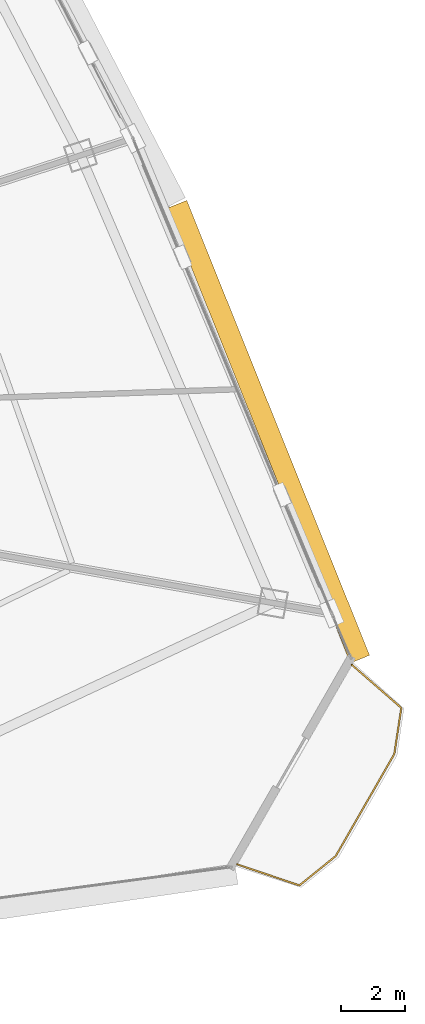
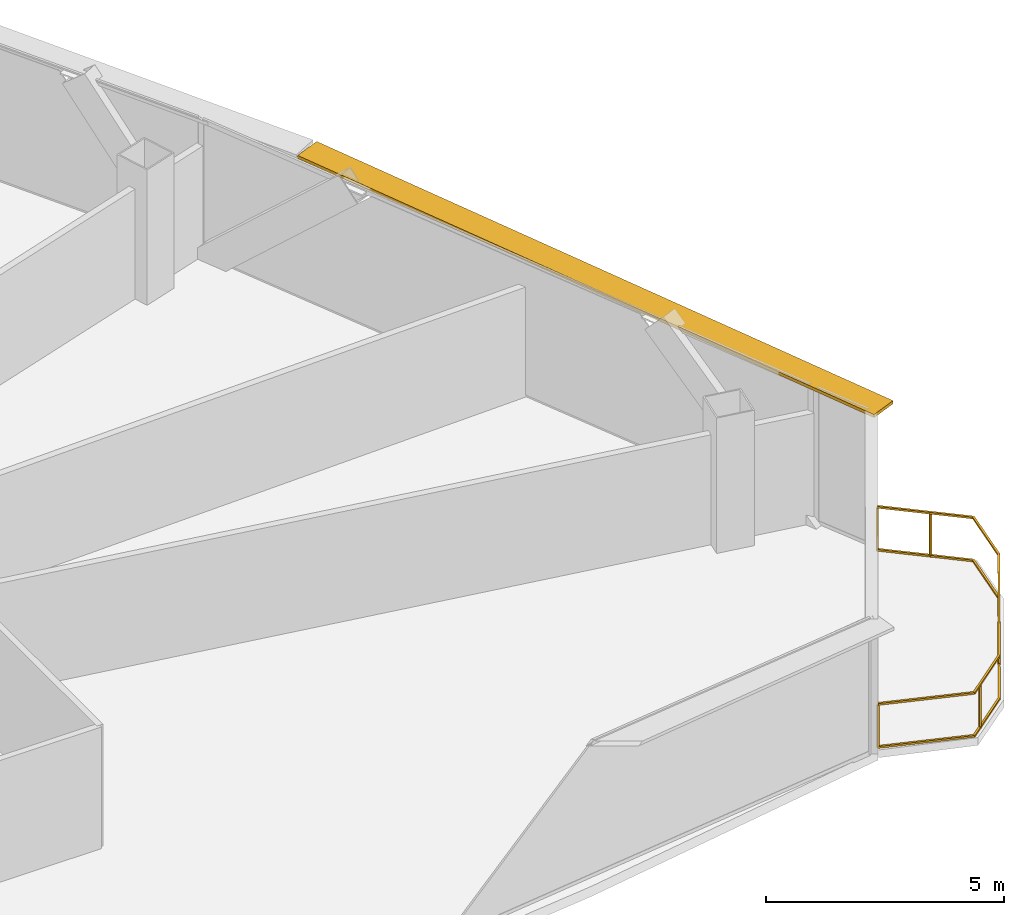
# One storey, part 37 of 37: 1 railing, 1 shading device.
"""IFC4 building model written with IfcOpenShell, lengths in metres."""

from ifc_helpers import new_model, si_unit, direction, frame, origin, origin_2d, place, context, subcontext, project, spatial, rectangle, extrude, source, transform, mapped, material, layer, layer_set, type_object, element, save


model = new_model("IFC4")

# Units and contexts
model_context = context("Model", 3, precision=1e-05, world=origin(), true_north=direction((0.0, 1.0)))
body_context = subcontext(model_context, "Body", "Model", "MODEL_VIEW")
ifc_project = project(units=[si_unit("LENGTHUNIT", "METRE"), si_unit("AREAUNIT", "SQUARE_METRE"), si_unit("VOLUMEUNIT", "CUBIC_METRE"), si_unit("PLANEANGLEUNIT", "RADIAN"), si_unit("MASSUNIT", "GRAM", prefix="KILO"), si_unit("THERMODYNAMICTEMPERATUREUNIT", "KELVIN"), si_unit("POWERUNIT", "WATT")], contexts=[model_context])

# Site, building, storey
site_placement = place(None, origin())
site = spatial("IfcSite", under=ifc_project, at=site_placement, CompositionType="ELEMENT")
building_placement = place(site_placement, origin())
building = spatial("IfcBuilding", under=site, at=building_placement, Name="Yunzhuo Pagoda Commons", CompositionType="ELEMENT")
storey_placement = place(building_placement, frame((0.0, 0.0, 255.719970703125)))
storey = spatial("IfcBuildingStorey", under=building, at=storey_placement, Name="L64", CompositionType="ELEMENT", Elevation=255.719970703125)

# Railing
ifc_material = material(Name="Anodized aluminium 6063-T6", Category="aluminium")
railing_type = type_object("IfcRailingType", Name="RL-BAL1 Exterior Terrace & Balcony Balustrade 1150", PredefinedType="BALUSTRADE", material=ifc_material)
railing_placement = place(storey_placement, frame((78.8203125, 19.86328125, 0.0)))
element("IfcRailing", 1, at=railing_placement, inside=storey, type_object=railing_type, Name="L64 corner balcony balustrade V2", PredefinedType="BALUSTRADE", context=body_context, shape_type="SweptSolid", body=[
    extrude(rectangle(XDim=0.048095703125, YDim=0.048095703125, at=origin_2d()), frame((0.0, 0.0, 1.1259765625), z_axis=(0.947419062147, -0.319995501031, 0.0), x_axis=(0.319995501031, 0.947419062147, 0.0)), (0.0, 0.0, 1.0), 2.05908203125),
    extrude(rectangle(XDim=0.048095703125, YDim=0.048095703125, at=origin_2d()), frame((0.0, 0.0, 0.02392578125), z_axis=(0.947419062147, -0.319995501031, 0.0), x_axis=(0.319995501031, 0.947419062147, 0.0)), (0.0, 0.0, 1.0), 2.05908203125),
    extrude(rectangle(XDim=0.048095703125, YDim=0.048095703125, at=origin_2d()), frame((1.950927734375, -0.658935546875, 1.1259765625), z_axis=(0.777884784349, 0.628406924117, 0.0), x_axis=(-0.628406924117, 0.777884784349, 0.0)), (0.0, 0.0, 1.0), 1.465087890625),
    extrude(rectangle(XDim=0.048095703125, YDim=0.048095703125, at=origin_2d()), frame((1.950927734375, -0.658935546875, 0.02392578125), z_axis=(0.777884784349, 0.628406924117, 0.0), x_axis=(-0.628406924117, 0.777884784349, 0.0)), (0.0, 0.0, 1.0), 1.465087890625),
    extrude(rectangle(XDim=0.048095703125, YDim=0.048095703125, at=origin_2d()), frame((3.090576171875, 0.26171875, 1.1259765625), z_axis=(0.497975284399, 0.867191222354, 0.0), x_axis=(-0.867191222354, 0.497975284399, 0.0)), (0.0, 0.0, 1.0), 3.691650390625),
    extrude(rectangle(XDim=0.048095703125, YDim=0.048095703125, at=origin_2d()), frame((3.090576171875, 0.26171875, 0.02392578125), z_axis=(0.497975284399, 0.867191222354, 0.0), x_axis=(-0.867191222354, 0.497975284399, 0.0)), (0.0, 0.0, 1.0), 3.691650390625),
    extrude(rectangle(XDim=0.048095703125, YDim=0.048095703125, at=origin_2d()), frame((4.928955078125, 3.463134765625, 1.1259765625), z_axis=(0.150466779766, 0.988615065729, 0.0), x_axis=(-0.988615065729, 0.150466779766, 0.0)), (0.0, 0.0, 1.0), 1.465087890625),
    extrude(rectangle(XDim=0.048095703125, YDim=0.048095703125, at=origin_2d()), frame((4.928955078125, 3.463134765625, 0.02392578125), z_axis=(0.150466779766, 0.988615065729, 0.0), x_axis=(-0.988615065729, 0.150466779766, 0.0)), (0.0, 0.0, 1.0), 1.465087890625),
    extrude(rectangle(XDim=0.048095703125, YDim=0.048095703125, at=origin_2d()), frame((5.1494140625, 4.91162109375, 1.1259765625), z_axis=(-0.753984993137, 0.656891642605, 0.0), x_axis=(-0.656891642605, -0.753984993137, 0.0)), (0.0, 0.0, 1.0), 2.059326171875),
    extrude(rectangle(XDim=0.048095703125, YDim=0.048095703125, at=origin_2d()), frame((5.1494140625, 4.91162109375, 0.02392578125), z_axis=(-0.753984993137, 0.656891642605, 0.0), x_axis=(-0.656891642605, -0.753984993137, 0.0)), (0.0, 0.0, 1.0), 2.059326171875),
    extrude(rectangle(XDim=0.0419921875, YDim=0.0419921875, at=origin_2d()), origin(), (0.0, 0.0, 1.0), 1.101806640625),
    extrude(rectangle(XDim=0.0419921875, YDim=0.0419921875, at=origin_2d()), frame((2.216064453125, -0.44482421875, 0.0)), (0.0, 0.0, 1.0), 1.101806640625),
    extrude(rectangle(XDim=0.0419921875, YDim=0.0419921875, at=origin_2d()), frame((3.725830078125, 1.367919921875, 0.0)), (0.0, 0.0, 1.0), 1.101806640625),
    extrude(rectangle(XDim=0.0419921875, YDim=0.0419921875, at=origin_2d()), frame((4.45654296875, 5.51513671875, 0.0)), (0.0, 0.0, 1.0), 1.101806640625),
    extrude(rectangle(XDim=0.0419921875, YDim=0.0419921875, at=origin_2d()), frame((3.5966796875, 6.264404296875, 0.0)), (0.0, 0.0, 1.0), 1.101806640625),
])

# Shading device
ifc_layer = layer(ifc_material, 0.080078125)
ifc_layer_set = layer_set([ifc_layer], Name="Anodized aluminium 6063-T6")
shading_device_type = type_object("IfcShadingDeviceType", Name="SH-SUN1 Pagoda Horizontal Sunshade Eave 650", PredefinedType="USERDEFINED", material=ifc_layer_set)
shared_shape = source(origin(), body_context, "Body", "SweptSolid", [
    extrude(rectangle(XDim=15.388671875, YDim=0.64990234375, at=origin_2d()), origin(), (0.0, 0.0, 1.0), 0.080078125),
])
shading_device_placement = place(storey_placement, frame((79.80224609375, 33.444091796875, 3.389892578125), z_axis=(0.0, 0.0, 1.0), x_axis=(-0.372987782576, 0.927836253899, 0.0)))
element("IfcShadingDevice", 2, at=shading_device_placement, inside=storey, type_object=shading_device_type, Name="L64 horizontal pagoda sunshade eave F2.1", ObjectType="SUNSHADE", PredefinedType="USERDEFINED", context=body_context, shape_type="MappedRepresentation", body=[
    mapped(shared_shape, transform((0.0, 0.0, 0.0), scale=1.0)),
])

save(model, "model.ifc")
